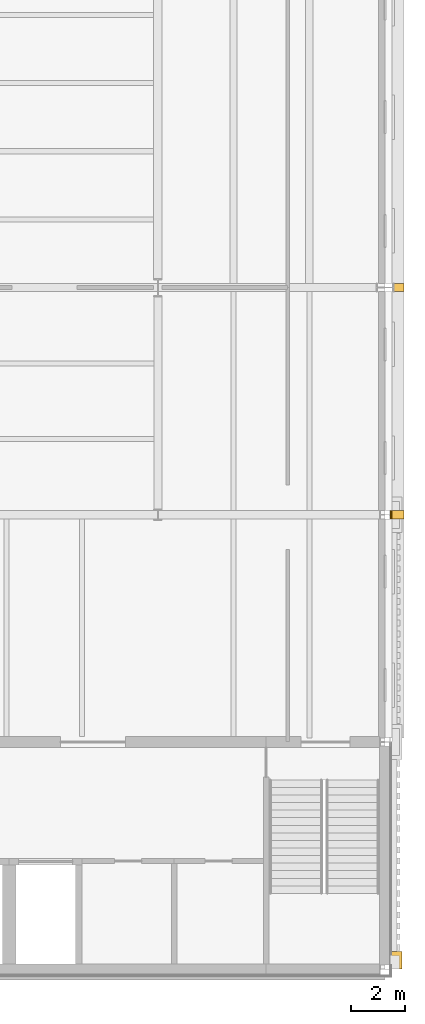
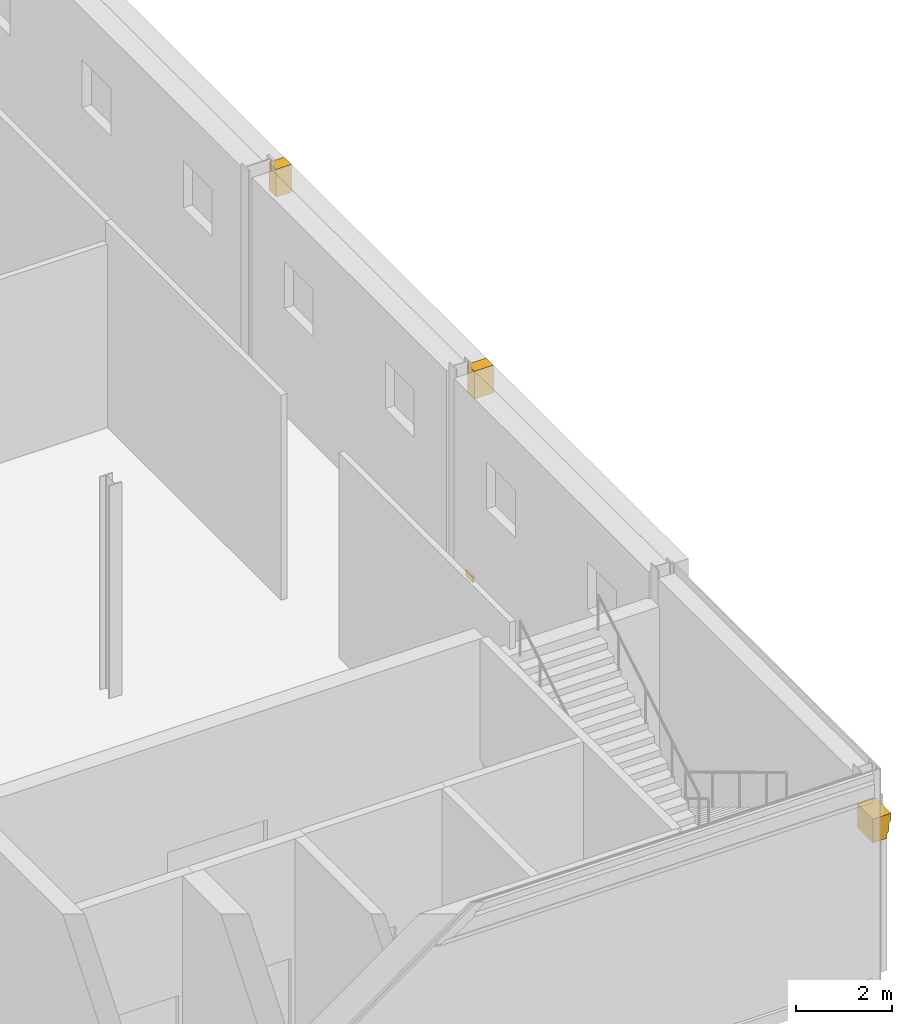
# One storey, part 56 of 57: 4 coverings.
"""IFC4 building model written with IfcOpenShell, lengths in metres."""

import ifcopenshell
import ifcopenshell.guid

model = None  # the IFC model being written
_history = None  # IfcOwnerHistory: only IFC2X3 demands one
_inside = {}  # id of a spatial element -> (the spatial element, [elements in it])
_under = {}  # id of a project, library or spatial element -> (it, [spatial elements below it])
_declared = {}  # id of a project -> (the project, [libraries it declares])
_typed = {}  # id of a type object -> (the type object, [elements of that type])
_made_of = {}  # id of a material, layer set ... -> (it, [elements and type objects made of it])


def new_model(schema):
    """Start an empty IFC model of exactly this schema.

    Asked for "IFC4X3", IfcOpenShell would pick the latest addendum, in which some entities
    have other attributes; the version numbers below select the first issue.
    IFC2X3 requires an IfcOwnerHistory on every rooted entity: one is made here for all.
    """
    global model, _history
    if schema == "IFC4X3":
        model = ifcopenshell.file(schema_version=(4, 3, 0, 0))
    else:
        model = ifcopenshell.file(schema=schema)
    _inside.clear()
    _under.clear()
    _declared.clear()
    _typed.clear()
    _made_of.clear()
    _history = None
    if model.schema == "IFC2X3":
        org = make("IfcOrganization", Name="unknown")
        user = make(
            "IfcPersonAndOrganization",
            ThePerson=make("IfcPerson", FamilyName="unknown"),
            TheOrganization=org,
        )
        app = make(
            "IfcApplication",
            ApplicationDeveloper=org,
            Version="unknown",
            ApplicationFullName="unknown",
            ApplicationIdentifier="unknown",
        )
        _history = make(
            "IfcOwnerHistory",
            OwningUser=user,
            OwningApplication=app,
            ChangeAction="ADDED",
            CreationDate=0,
        )
    return model


def make(cls, **values):
    """One entity of the class cls with the attributes given. An attribute that is None is left unset."""
    return model.create_entity(
        cls, **{name: value for name, value in values.items() if value is not None}
    )


def rooted(cls, **values):
    """An entity with a GlobalId (a new one), such as an element, a storey or a relation."""
    return make(cls, GlobalId=ifcopenshell.guid.new(), OwnerHistory=_history, **values)


def si_unit(unit_type, name, prefix=None):
    """IfcSIUnit, for example si_unit("LENGTHUNIT", "METRE", prefix="MILLI")."""
    return make("IfcSIUnit", UnitType=unit_type, Prefix=prefix, Name=name)


def assignment(units):
    """IfcUnitAssignment: the units of a project."""
    return None if units is None else make("IfcUnitAssignment", Units=units)


def point(xyz):
    """IfcCartesianPoint."""
    return None if xyz is None else make("IfcCartesianPoint", Coordinates=xyz)


def direction(xyz):
    """IfcDirection."""
    return None if xyz is None else make("IfcDirection", DirectionRatios=xyz)


def frame(location, z_axis=None, x_axis=None):
    """IfcAxis2Placement3D, a coordinate frame: its origin and axes. An axis left out is left unset."""
    return make(
        "IfcAxis2Placement3D",
        Location=point(location),
        Axis=direction(z_axis),
        RefDirection=direction(x_axis),
    )


def frame_2d(location, x_axis=None):
    """IfcAxis2Placement2D, a coordinate frame in the plane: its origin and x axis."""
    return make(
        "IfcAxis2Placement2D", Location=point(location), RefDirection=direction(x_axis)
    )


def origin():
    """The frame at (0, 0, 0) with its axes left unset."""
    return frame((0.0, 0.0, 0.0))


def origin_2d():
    """The frame at (0, 0) in the plane with its x axis left unset."""
    return frame_2d((0.0, 0.0))


def place(relative_to, where):
    """IfcLocalPlacement: puts the frame where relative to a parent placement (None: the world)."""
    return make(
        "IfcLocalPlacement", PlacementRelTo=relative_to, RelativePlacement=where
    )


def context(
    kind, dimensions, precision=None, world=None, true_north=None, identifier=None
):
    """IfcGeometricRepresentationContext, for example the 3D "Model" context."""
    return make(
        "IfcGeometricRepresentationContext",
        ContextIdentifier=identifier,
        ContextType=kind,
        CoordinateSpaceDimension=dimensions,
        Precision=precision,
        WorldCoordinateSystem=world,
        TrueNorth=true_north,
    )


def subcontext(parent, identifier, kind, view, scale=None):
    """IfcGeometricRepresentationSubContext, for example "Body" below "Model"."""
    return make(
        "IfcGeometricRepresentationSubContext",
        ContextIdentifier=identifier,
        ContextType=kind,
        ParentContext=parent,
        TargetScale=scale,
        TargetView=view,
    )


def project(units=None, contexts=None):
    """IfcProject with its units and contexts."""
    return rooted(
        "IfcProject",
        Name="project",
        RepresentationContexts=contexts,
        UnitsInContext=assignment(units),
    )


def spatial(cls, under=None, at=None, **own):
    """A site, building, storey or space (cls), placed at a placement, below another one or the project."""
    s = rooted(cls, ObjectPlacement=at, **own)
    if under is not None:
        _under.setdefault(under.id(), (under, []))[1].append(s)
    return s


def polyline(points):
    """IfcPolyline through the points."""
    return make("IfcPolyline", Points=[point(p) for p in points])


def profile(cls, at=None, kind="AREA", **sizes):
    """A parametric profile (cls). Its sizes go by their IFC names, for example OverallWidth=200.0."""
    return make(cls, ProfileType=kind, Position=at, **sizes)


def rectangle(**sizes):
    """IfcRectangleProfileDef."""
    return profile("IfcRectangleProfileDef", **sizes)


def outline(outer, holes=None, kind="AREA"):
    """IfcArbitraryClosedProfileDef: a profile drawn as a closed curve; with holes, ...WithVoids."""
    if holes is None:
        return make("IfcArbitraryClosedProfileDef", ProfileType=kind, OuterCurve=outer)
    return make(
        "IfcArbitraryProfileDefWithVoids",
        ProfileType=kind,
        OuterCurve=outer,
        InnerCurves=holes,
    )


def extrude(swept, where, along, depth):
    """IfcExtrudedAreaSolid: the profile swept, set in the frame where, extruded along a direction by depth."""
    return make(
        "IfcExtrudedAreaSolid",
        SweptArea=swept,
        Position=where,
        ExtrudedDirection=direction(along),
        Depth=depth,
    )


def shape(context_of_items, identifier, shape_type, items):
    """IfcShapeRepresentation: the items that make up one representation, for example the "Body"."""
    return make(
        "IfcShapeRepresentation",
        ContextOfItems=context_of_items,
        RepresentationIdentifier=identifier,
        RepresentationType=shape_type,
        Items=items,
    )


def material(Name=None, Category=None):
    """IfcMaterial."""
    return make("IfcMaterial", Name=Name, Category=Category)


def layer(
    of_material, thickness, ventilated=None, Name=None, Category=None, Priority=None
):
    """IfcMaterialLayer: one layer of a wall or slab, of a material (None: an air gap)."""
    return make(
        "IfcMaterialLayer",
        Material=of_material,
        LayerThickness=thickness,
        IsVentilated=ventilated,
        Name=Name,
        Category=Category,
        Priority=Priority,
    )


def layer_set(layers, Name=None):
    """IfcMaterialLayerSet."""
    return make("IfcMaterialLayerSet", MaterialLayers=layers, LayerSetName=Name)


def made_of(thing, what):
    """Note that an element or type object is made of a material, layer set ...; save() writes the relation."""
    if what is not None:
        _made_of.setdefault(what.id(), (what, []))[1].append(thing)
    return thing


def type_object(cls, material=None, **own):
    """A type object (cls), such as IfcWallType, which elements share."""
    return made_of(rooted(cls, **own), material)


def element(
    cls,
    number,
    at=None,
    inside=None,
    cuts=None,
    type_object=None,
    material=None,
    context=None,
    identifier="Body",
    shape_type=None,
    held_by="IfcProductDefinitionShape",
    body=None,
    shapes=None,
    **own,
):
    """One element of the class cls, such as IfcWall. Its Tag is "e" and its number.

    at: its placement. inside: the storey or other place that contains it. cuts: it is an
    opening in that element (IfcRelVoidsElement). A single representation is given by context,
    identifier, shape_type and body (its items); several are given by shapes. held_by: the class
    of the entity that holds the representations. save() writes the other relations.
    """
    e = rooted(cls, Tag="e%d" % number, ObjectPlacement=at, **own)
    if body is not None:
        shapes = [shape(context, identifier, shape_type, body)]
    if shapes is not None:
        e.Representation = make(held_by, Representations=shapes)
    if inside is not None:
        _inside.setdefault(inside.id(), (inside, []))[1].append(e)
    if cuts is not None:
        rooted(
            "IfcRelVoidsElement", RelatingBuildingElement=cuts, RelatedOpeningElement=e
        )
    if type_object is not None:
        _typed.setdefault(type_object.id(), (type_object, []))[1].append(e)
    return made_of(e, material)


def aggregate(whole, parts):
    """IfcRelAggregates: a whole, such as a stair, and the parts it consists of."""
    return rooted("IfcRelAggregates", RelatingObject=whole, RelatedObjects=parts)


def save(model, path):
    """Write the relations noted so far, then the file.

    IfcRelAggregates (storeys below a building ...), IfcRelContainedInSpatialStructure (elements
    in a storey), IfcRelDefinesByType, IfcRelAssociatesMaterial and IfcRelDeclares: one each for
    every whole, place, type object, material and project.
    """
    for whole, parts in _under.values():
        aggregate(whole, parts)
    for where, things in _inside.values():
        rooted(
            "IfcRelContainedInSpatialStructure",
            RelatedElements=things,
            RelatingStructure=where,
        )
    for kind, things in _typed.values():
        rooted("IfcRelDefinesByType", RelatedObjects=things, RelatingType=kind)
    for what, things in _made_of.values():
        rooted("IfcRelAssociatesMaterial", RelatedObjects=things, RelatingMaterial=what)
    for by, libraries in _declared.values():
        rooted("IfcRelDeclares", RelatingContext=by, RelatedDefinitions=libraries)
    model.write(path)


model = new_model("IFC4")

# Units and contexts
model_context = context("Model", 3, precision=1e-05, world=origin(), true_north=direction((0.0, 1.0)))
body_context = subcontext(model_context, "Body", "Model", "MODEL_VIEW")
ifc_project = project(units=[si_unit("LENGTHUNIT", "METRE"), si_unit("AREAUNIT", "SQUARE_METRE"), si_unit("VOLUMEUNIT", "CUBIC_METRE"), si_unit("PLANEANGLEUNIT", "RADIAN"), si_unit("MASSUNIT", "GRAM", prefix="KILO")], contexts=[model_context])

# Site, building, storey
site_placement = place(None, origin())
site = spatial("IfcSite", under=ifc_project, at=site_placement, CompositionType="ELEMENT")
building_placement = place(site_placement, origin())
building = spatial("IfcBuilding", under=site, at=building_placement, Name="Galleria Vessillo Department Store", CompositionType="ELEMENT")
storey_placement = place(building_placement, frame((0.0, 0.0, 25.800048828125)))
storey = spatial("IfcBuildingStorey", under=building, at=storey_placement, Name="L05", CompositionType="ELEMENT", Elevation=25.800048828125)

# Coverings
ifc_material_1 = material(Name="Botticino limestone ashlar", Category="masonry")
ifc_layer_1 = layer(ifc_material_1, 0.449951171875)
ifc_layer_set_1 = layer_set([ifc_layer_1], Name="Botticino limestone ashlar")
covering_type_1 = type_object("IfcCoveringType", Name="Limestone cornice 450 x 700", PredefinedType="MOLDING", material=ifc_layer_set_1)
covering_1_placement = place(storey_placement, frame((118.074951171875, 16.800048828125, 4.5), z_axis=(0.0, 0.0, 1.0), x_axis=(1.0, 0.0, 0.0)))
element("IfcCovering", 1, at=covering_1_placement, inside=storey, type_object=covering_type_1, Name="Joint block Cornice SE-L05-01", PredefinedType="MOLDING", context=body_context, shape_type="SweptSolid", body=[
    extrude(rectangle(XDim=0.449951171875, YDim=0.300048828125, at=origin_2d()), origin(), (0.0, 0.0, 1.0), 0.699951171875),
])
covering_2_placement = place(storey_placement, frame((118.116943359375, 25.199951171875, 4.5), z_axis=(0.0, 0.0, 1.0), x_axis=(1.0, 0.0, 0.0)))
element("IfcCovering", 2, at=covering_2_placement, inside=storey, type_object=covering_type_1, Name="Joint block Cornice SE-L05-02", PredefinedType="MOLDING", context=body_context, shape_type="SweptSolid", body=[
    extrude(rectangle(XDim=0.365966796875, YDim=0.30517578125, at=origin_2d()), origin(), (0.0, 0.0, 1.0), 0.699951171875),
])
ifc_material_2 = material(Name="Botticino limestone ashlar", Category="masonry")
ifc_layer_2 = layer(ifc_material_2, 0.3798828125)
ifc_layer_set_2 = layer_set([ifc_layer_2], Name="Botticino limestone ashlar")
covering_type_2 = type_object("IfcCoveringType", Name="Limestone pilaster capital 1300 x 380 x 600", PredefinedType="MOLDING", material=ifc_layer_set_2)
covering_3_placement = place(storey_placement, frame((117.60009765625, 0.64990234375, 3.349853515625), z_axis=(0.0, -1.0, 0.0), x_axis=(1.0, 0.0, 0.0)))
element("IfcCovering", 3, at=covering_3_placement, inside=storey, type_object=covering_type_2, Name="Pilaster capital E y=0.0", PredefinedType="MOLDING", context=body_context, shape_type="SweptSolid", body=[
    extrude(outline(polyline([(0.199951171875, 0.0), (0.530029296875, 0.0), (0.530029296875, 0.10009765625), (0.580078125, 0.179931640625), (0.580078125, 0.3798828125), (0.6298828125, 0.419921875), (0.6298828125, 0.60009765625), (0.199951171875, 0.60009765625), (0.199951171875, 0.0)])), origin(), (0.0, 0.0, 1.0), 0.64990234375),
])
ifc_material_3 = material(Name="Botticino limestone ashlar", Category="masonry")
ifc_layer_3 = layer(ifc_material_3, 0.14990234375)
ifc_layer_set_3 = layer_set([ifc_layer_3], Name="Botticino limestone ashlar")
covering_type_3 = type_object("IfcCoveringType", Name="Limestone slab-edge fascia 150 mm", PredefinedType="CLADDING", material=ifc_layer_set_3)
covering_4_placement = place(storey_placement, frame((117.824951171875, 16.800048828125, -0.14990234375), z_axis=(0.0, 0.0, 1.0), x_axis=(1.0, 0.0, 0.0)))
element("IfcCovering", 4, at=covering_4_placement, inside=storey, type_object=covering_type_3, Name="Joint block Slab-edge fascia SE-L04-01", PredefinedType="CLADDING", context=body_context, shape_type="SweptSolid", body=[
    extrude(rectangle(XDim=0.0498046875, YDim=0.300048828125, at=origin_2d()), origin(), (0.0, 0.0, 1.0), 0.14990234375),
])

save(model, "model.ifc")
